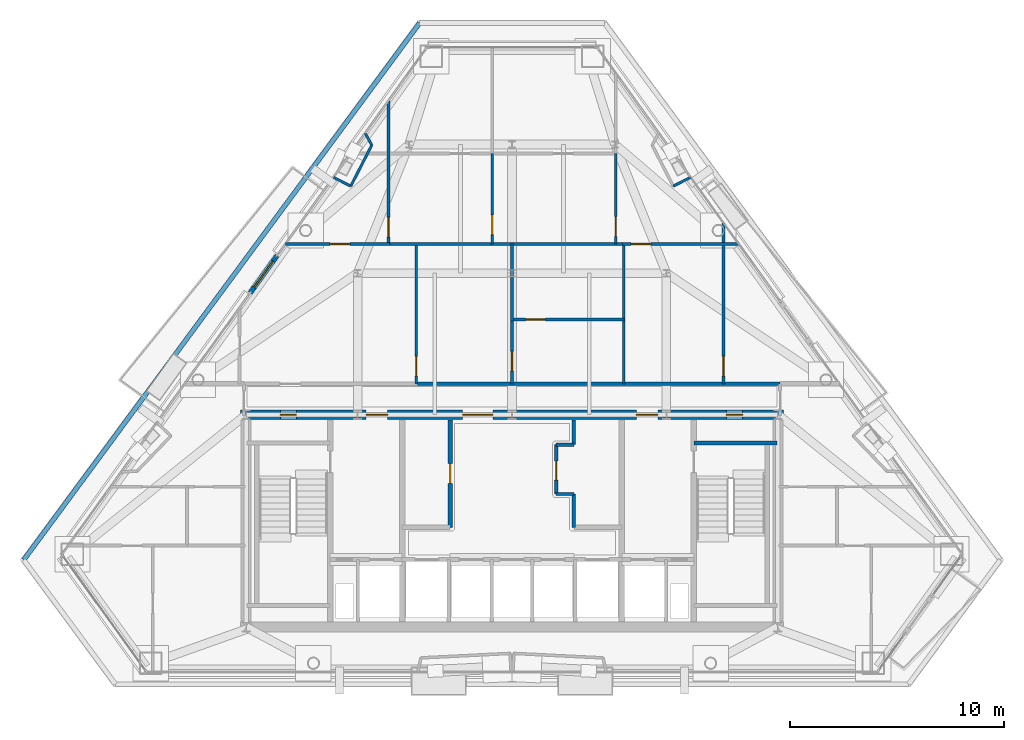
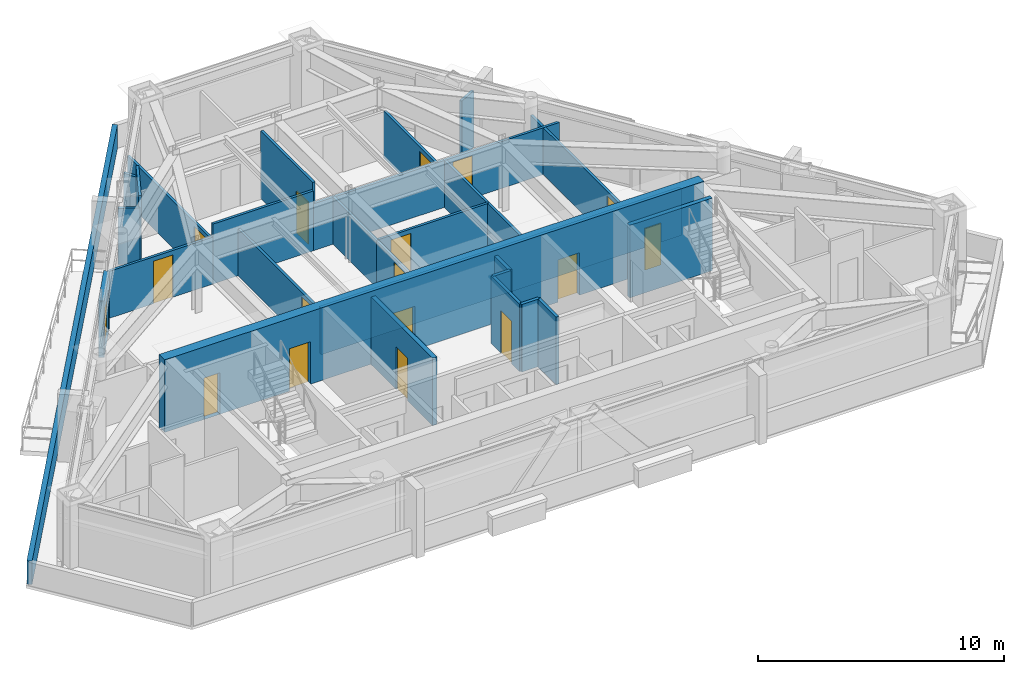
# One storey, part 8 of 11: 28 walls, 17 doors, 17 openings.
"""IFC4 building model written with IfcOpenShell, lengths in metres."""

from ifc_helpers import new_model, si_unit, direction, frame, frame_2d, origin, place, context, subcontext, project, spatial, rectangle, extrude, material, layer, layer_set, type_object, element, fill, save


model = new_model("IFC4")

# Units and contexts
model_context = context("Model", 3, precision=1e-05, world=origin(), true_north=direction((0.0, 1.0)))
body_context = subcontext(model_context, "Body", "Model", "MODEL_VIEW")
ifc_project = project(units=[si_unit("LENGTHUNIT", "METRE"), si_unit("AREAUNIT", "SQUARE_METRE"), si_unit("VOLUMEUNIT", "CUBIC_METRE"), si_unit("PLANEANGLEUNIT", "RADIAN"), si_unit("MASSUNIT", "GRAM", prefix="KILO")], contexts=[model_context])

# Site, building, storey
site_placement = place(None, origin())
site = spatial("IfcSite", under=ifc_project, at=site_placement, CompositionType="ELEMENT")
building_placement = place(site_placement, origin())
building = spatial("IfcBuilding", under=site, at=building_placement, Name="Talgorran Terracotta Tower", CompositionType="ELEMENT")
storey_placement = place(building_placement, frame((0.0, 0.0, 185.699951171875)))
storey = spatial("IfcBuildingStorey", under=building, at=storey_placement, Name="L48", CompositionType="ELEMENT", Elevation=185.699951171875)

# Wall, opening, door
ifc_material_1 = material(Name="Concrete C40/50", Category="concrete")
ifc_layer_1 = layer(ifc_material_1, 0.239990234375, Name="WT_BALCONY_SPAND")
ifc_layer_set_1 = layer_set([ifc_layer_1], Name="Concrete C40/50")
wall_type_1 = type_object("IfcWallType", Name="WT_BALCONY_SPAND", PredefinedType="STANDARD", material=ifc_layer_set_1)
wall_1_placement = place(storey_placement, frame((-10.956298828125, 3.220703125, -0.014892578125), z_axis=(0.0, 0.0, 1.0), x_axis=(-0.584352812003, -0.811499717255, 0.0)))
wall_1 = element("IfcWall", 1, at=wall_1_placement, inside=storey, type_object=wall_type_1, Name="WL-L48-BALP-BAL-NW", PredefinedType="STANDARD", context=body_context, shape_type="SweptSolid", body=[
    extrude(rectangle(XDim=2.139892578125, YDim=0.239990234375, at=frame_2d((1.06982421875, 0.0))), origin(), (0.0, 0.0, 1.0), 2.806884765625),
])
opening_1_placement = place(wall_1_placement, frame((0.320068359375, 0.0, 0.014892578125)))
opening_1 = element("IfcOpeningElement", 2, at=opening_1_placement, cuts=wall_1, Name="Opening D-BAL-L48-2", PredefinedType="OPENING", context=body_context, shape_type="SweptSolid", body=[
    extrude(rectangle(XDim=1.506, YDim=2.203951171875, at=frame_2d((0.75, 1.10205078125))), frame((0.0, 0.1298828125, 0.0), z_axis=(0.0, -1.0, 0.0), x_axis=(1.0, 0.0, 0.0)), (0.0, 0.0, 1.0), 0.260009765625),
])
ifc_material_2 = material(Name="Thermally Broken Aluminium", Category="aluminium")
door_type_1 = type_object("IfcDoorType", Name="DT_BALC_1500", OperationType="SLIDING_TO_RIGHT", PredefinedType="DOOR", material=ifc_material_2)
door_1_placement = place(opening_1_placement, origin())
door_1 = element("IfcDoor", 3, at=door_1_placement, inside=storey, type_object=door_type_1, Name="DR-L48-BAL-BAL-NW", OperationType="SLIDING_TO_RIGHT", OverallHeight=2.199951171875, OverallWidth=1.5, PredefinedType="DOOR", context=body_context, shape_type="SweptSolid", body=[
    extrude(rectangle(XDim=1.5, YDim=2.199951171875, at=frame_2d((0.75, 1.10009765625))), frame((0.0, 0.02490234375, 0.0), z_axis=(0.0, -1.0, 0.0), x_axis=(1.0, 0.0, 0.0)), (0.0, 0.0, 1.0), 0.050048828125),
])
fill(opening_1, door_1)

# Wall
ifc_material_3 = material(Name="Concrete C50/60", Category="concrete")
ifc_layer_2 = layer(ifc_material_3, 0.199951171875, Name="WT_CORE_200")
ifc_layer_set_2 = layer_set([ifc_layer_2], Name="Concrete C50/60")
wall_type_2 = type_object("IfcWallType", Name="WT_CORE_200", PredefinedType="SOLIDWALL", material=ifc_layer_set_2)
wall_2_placement = place(storey_placement, frame((8.47998046875, -5.52001953125, 0.0), z_axis=(0.0, 0.0, 1.0), x_axis=(1.0, 0.0, 0.0)))
element("IfcWall", 4, at=wall_2_placement, inside=storey, type_object=wall_type_2, Name="WL-L48-CW-ST2-N", PredefinedType="SOLIDWALL", context=body_context, shape_type="SweptSolid", body=[
    extrude(rectangle(XDim=3.8701171875, YDim=0.199951171875, at=frame_2d((1.93505859375, 0.0))), origin(), (0.0, 0.0, 1.0), 3.60009765625),
])

# Wall, opening, door
wall_3_placement = place(storey_placement, frame((-2.8798828125, -9.449951171875, 0.0), z_axis=(0.0, 0.0, 1.0), x_axis=(0.0, 1.0, 0.0)))
wall_3 = element("IfcWall", 5, at=wall_3_placement, inside=storey, type_object=wall_type_2, Name="WL-L48-CW-V-W3", PredefinedType="SOLIDWALL", context=body_context, shape_type="SweptSolid", body=[
    extrude(rectangle(XDim=5.0, YDim=0.199951171875, at=frame_2d((2.5, 0.0))), origin(), (0.0, 0.0, 1.0), 3.35009765625),
])
opening_2_placement = place(wall_3_placement, frame((2.050048828125, 0.0, 0.0)))
opening_2 = element("IfcOpeningElement", 6, at=opening_2_placement, cuts=wall_3, Name="Opening DR-FRPLL-A", PredefinedType="OPENING", context=body_context, shape_type="SweptSolid", body=[
    extrude(rectangle(XDim=0.925921875, YDim=2.10409765625, at=frame_2d((0.4599609375, 1.052001953125))), frame((0.0, 0.10986328125, 0.0), z_axis=(0.0, -1.0, 0.0), x_axis=(1.0, 0.0, 0.0)), (0.0, 0.0, 1.0), 0.219970703125),
])
ifc_material_4 = material(Name="Solid-Core Painted Timber", Category="wood")
door_type_2 = type_object("IfcDoorType", Name="DT_INT_920", OperationType="NOTDEFINED", PredefinedType="DOOR", material=ifc_material_4)
door_2_placement = place(opening_2_placement, origin())
door_2 = element("IfcDoor", 7, at=door_2_placement, inside=storey, type_object=door_type_2, Name="DR-FRPLL-A", OperationType="SINGLE_SWING_LEFT", OverallHeight=2.10009765625, OverallWidth=0.919921875, PredefinedType="DOOR", context=body_context, shape_type="SweptSolid", body=[
    extrude(rectangle(XDim=0.919921875, YDim=2.10009765625, at=frame_2d((0.4599609375, 1.050048828125))), frame((0.0, 0.02490234375, 0.0), z_axis=(0.0, -1.0, 0.0), x_axis=(1.0, 0.0, 0.0)), (0.0, 0.0, 1.0), 0.050048828125),
])
fill(opening_2, door_2)

# Wall, openings, doors
ifc_material_5 = material(Name="Concrete C65/80", Category="concrete")
ifc_layer_3 = layer(ifc_material_5, 0.449951171875, Name="WT_CORE_EXT")
ifc_layer_set_3 = layer_set([ifc_layer_3], Name="Concrete C65/80")
wall_type_3 = type_object("IfcWallType", Name="WT_CORE_EXT", PredefinedType="SHEAR", material=ifc_layer_set_3)
wall_4_placement = place(storey_placement, frame((-12.64990234375, -4.199951171875, 0.0), z_axis=(0.0, 0.0, 1.0), x_axis=(1.0, 0.0, 0.0)))
wall_4 = element("IfcWall", 8, at=wall_4_placement, inside=storey, type_object=wall_type_3, Name="WL-L48-CW-OUT-N", PredefinedType="SHEAR", context=body_context, shape_type="SweptSolid", body=[
    extrude(rectangle(XDim=25.2998046875, YDim=0.449951171875, at=frame_2d((12.64990234375, 0.0))), origin(), (0.0, 0.0, 1.0), 3.60009765625),
])
opening_3_placement = place(wall_4_placement, frame((1.85009765625, 0.0, 0.0)))
opening_3 = element("IfcOpeningElement", 9, at=opening_3_placement, cuts=wall_4, Name="Opening DR-CSN1", PredefinedType="OPENING", context=body_context, shape_type="SweptSolid", body=[
    extrude(rectangle(XDim=0.756, YDim=2.054048828125, at=frame_2d((0.375, 1.027099609375))), frame((0.0, 0.23486328125, 0.0), z_axis=(0.0, -1.0, 0.0), x_axis=(1.0, 0.0, 0.0)), (0.0, 0.0, 1.0), 0.469970703125),
])
opening_4_placement = place(wall_4_placement, frame((22.64990234375, 0.0, 0.0)))
opening_4 = element("IfcOpeningElement", 10, at=opening_4_placement, cuts=wall_4, Name="Opening DR-CSN2", PredefinedType="OPENING", context=body_context, shape_type="SweptSolid", body=[
    extrude(rectangle(XDim=0.756, YDim=2.054048828125, at=frame_2d((0.375, 1.027099609375))), frame((0.0, 0.23486328125, 0.0), z_axis=(0.0, -1.0, 0.0), x_axis=(1.0, 0.0, 0.0)), (0.0, 0.0, 1.0), 0.469970703125),
])
opening_5_placement = place(wall_4_placement, frame((5.85009765625, 0.0, 0.0)))
opening_5 = element("IfcOpeningElement", 11, at=opening_5_placement, cuts=wall_4, Name="Opening DR-FFLW-N", PredefinedType="OPENING", context=body_context, shape_type="SweptSolid", body=[
    extrude(rectangle(XDim=1.006, YDim=2.10409765625, at=frame_2d((0.5, 1.052001953125))), frame((0.0, 0.23486328125, 0.0), z_axis=(0.0, -1.0, 0.0), x_axis=(1.0, 0.0, 0.0)), (0.0, 0.0, 1.0), 0.469970703125),
])
opening_6_placement = place(wall_4_placement, frame((10.35009765625, 0.0, 0.0)))
opening_6 = element("IfcOpeningElement", 12, at=opening_6_placement, cuts=wall_4, Name="Opening DR-PLL-N", PredefinedType="OPENING", context=body_context, shape_type="SweptSolid", body=[
    extrude(rectangle(XDim=1.40590234375, YDim=2.15390234375, at=frame_2d((0.699951171875, 1.076904296875))), frame((0.0, 0.23486328125, 0.0), z_axis=(0.0, -1.0, 0.0), x_axis=(1.0, 0.0, 0.0)), (0.0, 0.0, 1.0), 0.469970703125),
])
opening_7_placement = place(wall_4_placement, frame((18.449951171875, 0.0, 0.0)))
opening_7 = element("IfcOpeningElement", 13, at=opening_7_placement, cuts=wall_4, Name="Opening DR-FFLE-N", PredefinedType="OPENING", context=body_context, shape_type="SweptSolid", body=[
    extrude(rectangle(XDim=1.006, YDim=2.10409765625, at=frame_2d((0.5, 1.052001953125))), frame((0.0, 0.23486328125, 0.0), z_axis=(0.0, -1.0, 0.0), x_axis=(1.0, 0.0, 0.0)), (0.0, 0.0, 1.0), 0.469970703125),
])
ifc_material_6 = material(Name="Acoustic Glazed Timber", Category="wood")
door_type_3 = type_object("IfcDoorType", Name="DT_DOUBLE_1400", OperationType="DOUBLE_DOOR_SINGLE_SWING", PredefinedType="DOOR", material=ifc_material_6)
door_3_placement = place(opening_6_placement, origin())
door_3 = element("IfcDoor", 14, at=door_3_placement, inside=storey, type_object=door_type_3, Name="DR-PLL-N", OperationType="DOUBLE_DOOR_SINGLE_SWING", OverallHeight=2.14990234375, OverallWidth=1.39990234375, PredefinedType="DOOR", context=body_context, shape_type="SweptSolid", body=[
    extrude(rectangle(XDim=1.39990234375, YDim=2.14990234375, at=frame_2d((0.699951171875, 1.074951171875))), frame((0.0, 0.02490234375, 0.0), z_axis=(0.0, -1.0, 0.0), x_axis=(1.0, 0.0, 0.0)), (0.0, 0.0, 1.0), 0.050048828125),
])
fill(opening_6, door_3)
ifc_material_7 = material(Name="Fire-Rated Pressed Steel", Category="steel")
door_type_4 = type_object("IfcDoorType", Name="DT_FIRE_1000", OperationType="NOTDEFINED", PredefinedType="DOOR", material=ifc_material_7)
door_4_placement = place(opening_5_placement, origin())
door_4 = element("IfcDoor", 15, at=door_4_placement, inside=storey, type_object=door_type_4, Name="DR-FFLW-N", OperationType="SINGLE_SWING_LEFT", OverallHeight=2.10009765625, OverallWidth=1.0, PredefinedType="DOOR", context=body_context, shape_type="SweptSolid", body=[
    extrude(rectangle(XDim=1.0, YDim=2.10009765625, at=frame_2d((0.5, 1.050048828125))), frame((0.0, 0.02490234375, 0.0), z_axis=(0.0, -1.0, 0.0), x_axis=(1.0, 0.0, 0.0)), (0.0, 0.0, 1.0), 0.050048828125),
])
fill(opening_5, door_4)
door_5_placement = place(opening_7_placement, origin())
door_5 = element("IfcDoor", 16, at=door_5_placement, inside=storey, type_object=door_type_4, Name="DR-FFLE-N", OperationType="SINGLE_SWING_RIGHT", OverallHeight=2.10009765625, OverallWidth=1.0, PredefinedType="DOOR", context=body_context, shape_type="SweptSolid", body=[
    extrude(rectangle(XDim=1.0, YDim=2.10009765625, at=frame_2d((0.5, 1.050048828125))), frame((0.0, 0.02490234375, 0.0), z_axis=(0.0, -1.0, 0.0), x_axis=(1.0, 0.0, 0.0)), (0.0, 0.0, 1.0), 0.050048828125),
])
fill(opening_7, door_5)
door_type_5 = type_object("IfcDoorType", Name="DT_RISER_750", OperationType="NOTDEFINED", PredefinedType="DOOR", material=ifc_material_7)
door_6_placement = place(opening_3_placement, origin())
door_6 = element("IfcDoor", 17, at=door_6_placement, inside=storey, type_object=door_type_5, Name="DR-CSN1", OperationType="SINGLE_SWING_LEFT", OverallHeight=2.050048828125, OverallWidth=0.75, PredefinedType="DOOR", context=body_context, shape_type="SweptSolid", body=[
    extrude(rectangle(XDim=0.75, YDim=2.050048828125, at=frame_2d((0.375, 1.02490234375))), frame((0.0, 0.02490234375, 0.0), z_axis=(0.0, -1.0, 0.0), x_axis=(1.0, 0.0, 0.0)), (0.0, 0.0, 1.0), 0.050048828125),
])
fill(opening_3, door_6)
door_7_placement = place(opening_4_placement, origin())
door_7 = element("IfcDoor", 18, at=door_7_placement, inside=storey, type_object=door_type_5, Name="DR-CSN2", OperationType="SINGLE_SWING_RIGHT", OverallHeight=2.050048828125, OverallWidth=0.75, PredefinedType="DOOR", context=body_context, shape_type="SweptSolid", body=[
    extrude(rectangle(XDim=0.75, YDim=2.050048828125, at=frame_2d((0.375, 1.02490234375))), frame((0.0, 0.02490234375, 0.0), z_axis=(0.0, -1.0, 0.0), x_axis=(1.0, 0.0, 0.0)), (0.0, 0.0, 1.0), 0.050048828125),
])
fill(opening_4, door_7)

# Walls
ifc_material_8 = material(Name="Fire-Rated Steel Stud Plasterboard", Category="steel")
ifc_layer_4 = layer(ifc_material_8, 0.14990234375, Name="WT_FIRE_150")
ifc_layer_set_4 = layer_set([ifc_layer_4], Name="Fire-Rated Steel Stud Plasterboard")
wall_type_4 = type_object("IfcWallType", Name="WT_FIRE_150", PredefinedType="PARTITIONING", material=ifc_layer_set_4)
wall_5_placement = place(storey_placement, frame((2.8798828125, -9.449951171875, 0.0), z_axis=(0.0, 0.0, 1.0), x_axis=(0.0, 1.0, 0.0)))
element("IfcWall", 19, at=wall_5_placement, inside=storey, type_object=wall_type_4, Name="WL-L48-CW-V-E3A", PredefinedType="PARTITIONING", context=body_context, shape_type="SweptSolid", body=[
    extrude(rectangle(XDim=1.550048828125, YDim=0.14990234375, at=frame_2d((0.77490234375, 0.0))), origin(), (0.0, 0.0, 1.0), 3.35009765625),
])
wall_6_placement = place(storey_placement, frame((2.06005859375, -7.89990234375, 0.0), z_axis=(0.0, 0.0, 1.0), x_axis=(1.0, 0.0, 0.0)))
element("IfcWall", 20, at=wall_6_placement, inside=storey, type_object=wall_type_4, Name="WL-L48-CW-H-E3B", PredefinedType="PARTITIONING", context=body_context, shape_type="SweptSolid", body=[
    extrude(rectangle(XDim=0.81982421875, YDim=0.14990234375, at=frame_2d((0.409912109375, 0.0))), origin(), (0.0, 0.0, 1.0), 3.35009765625),
])

# Wall, opening, door
wall_7_placement = place(storey_placement, frame((2.06005859375, -7.89990234375, 0.0), z_axis=(0.0, 0.0, 1.0), x_axis=(0.0, 1.0, 0.0)))
wall_7 = element("IfcWall", 21, at=wall_7_placement, inside=storey, type_object=wall_type_4, Name="WL-L48-CW-V-E3C", PredefinedType="PARTITIONING", context=body_context, shape_type="SweptSolid", body=[
    extrude(rectangle(XDim=2.2998046875, YDim=0.14990234375, at=frame_2d((1.14990234375, 0.0))), origin(), (0.0, 0.0, 1.0), 3.35009765625),
])
opening_8_placement = place(wall_7_placement, frame((0.64990234375, 0.0, 0.0)))
opening_8 = element("IfcOpeningElement", 22, at=opening_8_placement, cuts=wall_7, Name="Opening DR-FRPLM-B", PredefinedType="OPENING", context=body_context, shape_type="SweptSolid", body=[
    extrude(rectangle(XDim=0.8858828125, YDim=2.10409765625, at=frame_2d((0.43994140625, 1.052001953125))), frame((0.0, 0.0849609375, 0.0), z_axis=(0.0, -1.0, 0.0), x_axis=(1.0, 0.0, 0.0)), (0.0, 0.0, 1.0), 0.169921875),
])
door_type_6 = type_object("IfcDoorType", Name="DT_INT_880", OperationType="NOTDEFINED", PredefinedType="DOOR", material=ifc_material_4)
door_8_placement = place(opening_8_placement, origin())
door_8 = element("IfcDoor", 23, at=door_8_placement, inside=storey, type_object=door_type_6, Name="DR-FRPLM-B", OperationType="SINGLE_SWING_RIGHT", OverallHeight=2.10009765625, OverallWidth=0.8798828125, PredefinedType="DOOR", context=body_context, shape_type="SweptSolid", body=[
    extrude(rectangle(XDim=0.8798828125, YDim=2.10009765625, at=frame_2d((0.43994140625, 1.050048828125))), frame((0.0, 0.02490234375, 0.0), z_axis=(0.0, -1.0, 0.0), x_axis=(1.0, 0.0, 0.0)), (0.0, 0.0, 1.0), 0.050048828125),
])
fill(opening_8, door_8)

# Walls
wall_8_placement = place(storey_placement, frame((2.06005859375, -5.60009765625, 0.0), z_axis=(0.0, 0.0, 1.0), x_axis=(1.0, 0.0, 0.0)))
element("IfcWall", 24, at=wall_8_placement, inside=storey, type_object=wall_type_4, Name="WL-L48-CW-H-E3D", PredefinedType="PARTITIONING", context=body_context, shape_type="SweptSolid", body=[
    extrude(rectangle(XDim=0.81982421875, YDim=0.14990234375, at=frame_2d((0.409912109375, 0.0))), origin(), (0.0, 0.0, 1.0), 3.35009765625),
])
wall_9_placement = place(storey_placement, frame((2.8798828125, -5.60009765625, 0.0), z_axis=(0.0, 0.0, 1.0), x_axis=(0.0, 1.0, 0.0)))
element("IfcWall", 25, at=wall_9_placement, inside=storey, type_object=wall_type_4, Name="WL-L48-CW-V-E3E", PredefinedType="PARTITIONING", context=body_context, shape_type="SweptSolid", body=[
    extrude(rectangle(XDim=1.150146484375, YDim=0.14990234375, at=frame_2d((0.5751953125, 0.0))), origin(), (0.0, 0.0, 1.0), 3.35009765625),
])
wall_10_placement = place(storey_placement, frame((-4.39794921875, -2.760009765625, 0.0), z_axis=(0.0, 0.0, 1.0), x_axis=(1.0, 0.0, 0.0)))
element("IfcWall", 26, at=wall_10_placement, inside=storey, type_object=wall_type_4, Name="WL-L48-W-L48-R05", PredefinedType="PARTITIONING", context=body_context, shape_type="SweptSolid", body=[
    extrude(rectangle(XDim=16.89794921875, YDim=0.14990234375, at=frame_2d((8.448974609375, 0.0))), origin(), (0.0, 0.0, 1.0), 2.324951171875),
])
ifc_layer_5 = layer(ifc_material_1, 0.219970703125, Name="WT_PARAPET_RC")
ifc_layer_set_5 = layer_set([ifc_layer_5], Name="Concrete C40/50")
wall_type_5 = type_object("IfcWallType", Name="WT_PARAPET_RC", PredefinedType="PARAPET", material=ifc_layer_set_5)
wall_11_placement = place(storey_placement, frame((-4.305908203125, 14.063720703125, -0.02001953125), z_axis=(0.0, 0.0, 1.0), x_axis=(-0.593493783315, -0.804838573359, 0.0)))
element("IfcWall", 27, at=wall_11_placement, inside=storey, type_object=wall_type_5, Name="WL-L48-PARAPET-6", PredefinedType="PARAPET", context=body_context, shape_type="SweptSolid", body=[
    extrude(rectangle(XDim=31.104248046875, YDim=0.219970703125, at=frame_2d((15.55224609375, 0.0))), origin(), (0.0, 0.0, 1.0), 1.170166015625),
])

# Wall, opening, door
ifc_material_9 = material(Name="Insulated Steel Stud Plasterboard", Category="steel")
ifc_layer_6 = layer(ifc_material_9, 0.1201171875, Name="WT_PART_120")
ifc_layer_set_6 = layer_set([ifc_layer_6], Name="Insulated Steel Stud Plasterboard")
wall_type_6 = type_object("IfcWallType", Name="WT_PART_120", PredefinedType="PARTITIONING", material=ifc_layer_set_6)
wall_12_placement = place(storey_placement, frame((9.860107421875, -2.760009765625, 0.0), z_axis=(0.0, 0.0, 1.0), x_axis=(0.0, 1.0, 0.0)))
wall_12 = element("IfcWall", 28, at=wall_12_placement, inside=storey, type_object=wall_type_6, Name="WL-L48-W-L48-R46", PredefinedType="PARTITIONING", context=body_context, shape_type="SweptSolid", body=[
    extrude(rectangle(XDim=7.502685546875, YDim=0.1201171875, at=frame_2d((3.75146484375, 0.0))), origin(), (0.0, 0.0, 1.0), 2.324951171875),
])
opening_9_placement = place(wall_12_placement, frame((0.360107421875, 0.0, 0.0)))
opening_9 = element("IfcOpeningElement", 29, at=opening_9_placement, cuts=wall_12, Name="Opening DR-L48-R23", PredefinedType="OPENING", context=body_context, shape_type="SweptSolid", body=[
    extrude(rectangle(XDim=0.925921875, YDim=2.10409765625, at=frame_2d((0.4599609375, 1.052001953125))), frame((0.0, 0.070068359375, 0.0), z_axis=(0.0, -1.0, 0.0), x_axis=(1.0, 0.0, 0.0)), (0.0, 0.0, 1.0), 0.14013671875),
])
door_9_placement = place(opening_9_placement, origin())
door_9 = element("IfcDoor", 30, at=door_9_placement, inside=storey, type_object=door_type_2, Name="DR-L48-R23", OperationType="SINGLE_SWING_LEFT", OverallHeight=2.10009765625, OverallWidth=0.919921875, PredefinedType="DOOR", context=body_context, shape_type="SweptSolid", body=[
    extrude(rectangle(XDim=0.919921875, YDim=2.10009765625, at=frame_2d((0.4599609375, 1.050048828125))), frame((0.0, 0.02490234375, 0.0), z_axis=(0.0, -1.0, 0.0), x_axis=(1.0, 0.0, 0.0)), (0.0, 0.0, 1.0), 0.050048828125),
])
fill(opening_9, door_9)

wall_13_placement = place(storey_placement, frame((-5.760009765625, 3.760009765625, 0.0), z_axis=(0.0, 0.0, 1.0), x_axis=(0.0, 1.0, 0.0)))
wall_13 = element("IfcWall", 31, at=wall_13_placement, inside=storey, type_object=wall_type_6, Name="WL-L48-W-L48-R38", PredefinedType="PARTITIONING", context=body_context, shape_type="SweptSolid", body=[
    extrude(rectangle(XDim=6.675537109375, YDim=0.1201171875, at=frame_2d((3.337890625, 0.0))), origin(), (0.0, 0.0, 1.0), 2.324951171875),
])
opening_10_placement = place(wall_13_placement, frame((0.320068359375, 0.0, 0.0)))
opening_10 = element("IfcOpeningElement", 32, at=opening_10_placement, cuts=wall_13, Name="Opening DR-L48-R17", PredefinedType="OPENING", context=body_context, shape_type="SweptSolid", body=[
    extrude(rectangle(XDim=0.925921875, YDim=2.10409765625, at=frame_2d((0.4599609375, 1.052001953125))), frame((0.0, 0.070068359375, 0.0), z_axis=(0.0, -1.0, 0.0), x_axis=(1.0, 0.0, 0.0)), (0.0, 0.0, 1.0), 0.14013671875),
])
door_10_placement = place(opening_10_placement, origin())
door_10 = element("IfcDoor", 33, at=door_10_placement, inside=storey, type_object=door_type_2, Name="DR-L48-R17", OperationType="SINGLE_SWING_LEFT", OverallHeight=2.10009765625, OverallWidth=0.919921875, PredefinedType="DOOR", context=body_context, shape_type="SweptSolid", body=[
    extrude(rectangle(XDim=0.919921875, YDim=2.10009765625, at=frame_2d((0.4599609375, 1.050048828125))), frame((0.0, 0.02490234375, 0.0), z_axis=(0.0, -1.0, 0.0), x_axis=(1.0, 0.0, 0.0)), (0.0, 0.0, 1.0), 0.050048828125),
])
fill(opening_10, door_10)

wall_14_placement = place(storey_placement, frame((-4.4599609375, -2.760009765625, 0.0), z_axis=(0.0, 0.0, 1.0), x_axis=(0.0, 1.0, 0.0)))
wall_14 = element("IfcWall", 34, at=wall_14_placement, inside=storey, type_object=wall_type_6, Name="WL-L48-W-L48-R26", PredefinedType="PARTITIONING", context=body_context, shape_type="SweptSolid", body=[
    extrude(rectangle(XDim=6.52001953125, YDim=0.1201171875, at=frame_2d((3.260009765625, 0.0))), origin(), (0.0, 0.0, 1.0), 2.324951171875),
])
opening_11_placement = place(wall_14_placement, frame((0.360107421875, 0.0, 0.0)))
opening_11 = element("IfcOpeningElement", 35, at=opening_11_placement, cuts=wall_14, Name="Opening DR-L48-R13", PredefinedType="OPENING", context=body_context, shape_type="SweptSolid", body=[
    extrude(rectangle(XDim=0.925921875, YDim=2.10409765625, at=frame_2d((0.4599609375, 1.052001953125))), frame((0.0, 0.070068359375, 0.0), z_axis=(0.0, -1.0, 0.0), x_axis=(1.0, 0.0, 0.0)), (0.0, 0.0, 1.0), 0.14013671875),
])
door_11_placement = place(opening_11_placement, origin())
door_11 = element("IfcDoor", 36, at=door_11_placement, inside=storey, type_object=door_type_2, Name="DR-L48-R13", OperationType="SINGLE_SWING_LEFT", OverallHeight=2.10009765625, OverallWidth=0.919921875, PredefinedType="DOOR", context=body_context, shape_type="SweptSolid", body=[
    extrude(rectangle(XDim=0.919921875, YDim=2.10009765625, at=frame_2d((0.4599609375, 1.050048828125))), frame((0.0, 0.02490234375, 0.0), z_axis=(0.0, -1.0, 0.0), x_axis=(1.0, 0.0, 0.0)), (0.0, 0.0, 1.0), 0.050048828125),
])
fill(opening_11, door_11)

wall_15_placement = place(storey_placement, frame((5.159912109375, 3.760009765625, 0.0), z_axis=(0.0, 0.0, 1.0), x_axis=(1.0, 0.0, 0.0)))
wall_15 = element("IfcWall", 37, at=wall_15_placement, inside=storey, type_object=wall_type_6, Name="WL-L48-W-L48-R45", PredefinedType="PARTITIONING", context=body_context, shape_type="SweptSolid", body=[
    extrude(rectangle(XDim=5.40771484375, YDim=0.1201171875, at=frame_2d((2.703857421875, 0.0))), origin(), (0.0, 0.0, 1.0), 2.324951171875),
])
opening_12_placement = place(wall_15_placement, frame((0.39990234375, 0.0, 0.0)))
opening_12 = element("IfcOpeningElement", 38, at=opening_12_placement, cuts=wall_15, Name="Opening DR-L48-R22", PredefinedType="OPENING", context=body_context, shape_type="SweptSolid", body=[
    extrude(rectangle(XDim=0.925921875, YDim=2.10409765625, at=frame_2d((0.4599609375, 1.052001953125))), frame((0.0, 0.070068359375, 0.0), z_axis=(0.0, -1.0, 0.0), x_axis=(1.0, 0.0, 0.0)), (0.0, 0.0, 1.0), 0.14013671875),
])
door_12_placement = place(opening_12_placement, origin())
door_12 = element("IfcDoor", 39, at=door_12_placement, inside=storey, type_object=door_type_2, Name="DR-L48-R22", OperationType="SINGLE_SWING_RIGHT", OverallHeight=2.10009765625, OverallWidth=0.919921875, PredefinedType="DOOR", context=body_context, shape_type="SweptSolid", body=[
    extrude(rectangle(XDim=0.919921875, YDim=2.10009765625, at=frame_2d((0.4599609375, 1.050048828125))), frame((0.0, 0.02490234375, 0.0), z_axis=(0.0, -1.0, 0.0), x_axis=(1.0, 0.0, 0.0)), (0.0, 0.0, 1.0), 0.050048828125),
])
fill(opening_12, door_12)

wall_16_placement = place(storey_placement, frame((0.0, 0.239990234375, 0.0), z_axis=(0.0, 0.0, 1.0), x_axis=(1.0, 0.0, 0.0)))
wall_16 = element("IfcWall", 40, at=wall_16_placement, inside=storey, type_object=wall_type_6, Name="WL-L48-W-L48-R33", PredefinedType="PARTITIONING", context=body_context, shape_type="SweptSolid", body=[
    extrude(rectangle(XDim=5.219970703125, YDim=0.1201171875, at=frame_2d((2.60986328125, 0.0))), origin(), (0.0, 0.0, 1.0), 2.324951171875),
])
opening_13_placement = place(wall_16_placement, frame((0.637451171875, 0.0, 0.0)))
opening_13 = element("IfcOpeningElement", 41, at=opening_13_placement, cuts=wall_16, Name="Opening DR-L48-R15", PredefinedType="OPENING", context=body_context, shape_type="SweptSolid", body=[
    extrude(rectangle(XDim=0.925921875, YDim=2.10409765625, at=frame_2d((0.4599609375, 1.052001953125))), frame((0.0, 0.070068359375, 0.0), z_axis=(0.0, -1.0, 0.0), x_axis=(1.0, 0.0, 0.0)), (0.0, 0.0, 1.0), 0.14013671875),
])
door_13_placement = place(opening_13_placement, origin())
door_13 = element("IfcDoor", 42, at=door_13_placement, inside=storey, type_object=door_type_2, Name="DR-L48-R15", OperationType="SINGLE_SWING_LEFT", OverallHeight=2.10009765625, OverallWidth=0.919921875, PredefinedType="DOOR", context=body_context, shape_type="SweptSolid", body=[
    extrude(rectangle(XDim=0.919921875, YDim=2.10009765625, at=frame_2d((0.4599609375, 1.050048828125))), frame((0.0, 0.02490234375, 0.0), z_axis=(0.0, -1.0, 0.0), x_axis=(1.0, 0.0, 0.0)), (0.0, 0.0, 1.0), 0.050048828125),
])
fill(opening_13, door_13)

# Wall
wall_17_placement = place(storey_placement, frame((-0.97998046875, 3.760009765625, 0.0), z_axis=(0.0, 0.0, 1.0), x_axis=(1.0, 0.0, 0.0)))
element("IfcWall", 43, at=wall_17_placement, inside=storey, type_object=wall_type_6, Name="WL-L48-W-L48-R35", PredefinedType="PARTITIONING", context=body_context, shape_type="SweptSolid", body=[
    extrude(rectangle(XDim=6.199951171875, YDim=0.1201171875, at=frame_2d((3.10009765625, 0.0))), origin(), (0.0, 0.0, 1.0), 2.324951171875),
])

# Wall, opening, door
wall_18_placement = place(storey_placement, frame((-10.567626953125, 3.760009765625, 0.0), z_axis=(0.0, 0.0, 1.0), x_axis=(1.0, 0.0, 0.0)))
wall_18 = element("IfcWall", 44, at=wall_18_placement, inside=storey, type_object=wall_type_6, Name="WL-L48-W-L48-R27", PredefinedType="PARTITIONING", context=body_context, shape_type="SweptSolid", body=[
    extrude(rectangle(XDim=4.86767578125, YDim=0.1201171875, at=frame_2d((2.433837890625, 0.0))), origin(), (0.0, 0.0, 1.0), 2.324951171875),
])
opening_14_placement = place(wall_18_placement, frame((2.082763671875, 0.0, 0.0)))
opening_14 = element("IfcOpeningElement", 45, at=opening_14_placement, cuts=wall_18, Name="Opening DR-L48-R16", PredefinedType="OPENING", context=body_context, shape_type="SweptSolid", body=[
    extrude(rectangle(XDim=0.925921875, YDim=2.10409765625, at=frame_2d((0.4599609375, 1.052001953125))), frame((0.0, 0.070068359375, 0.0), z_axis=(0.0, -1.0, 0.0), x_axis=(1.0, 0.0, 0.0)), (0.0, 0.0, 1.0), 0.14013671875),
])
door_14_placement = place(opening_14_placement, origin())
door_14 = element("IfcDoor", 46, at=door_14_placement, inside=storey, type_object=door_type_2, Name="DR-L48-R16", OperationType="SINGLE_SWING_RIGHT", OverallHeight=2.10009765625, OverallWidth=0.919921875, PredefinedType="DOOR", context=body_context, shape_type="SweptSolid", body=[
    extrude(rectangle(XDim=0.919921875, YDim=2.10009765625, at=frame_2d((0.4599609375, 1.050048828125))), frame((0.0, 0.02490234375, 0.0), z_axis=(0.0, -1.0, 0.0), x_axis=(1.0, 0.0, 0.0)), (0.0, 0.0, 1.0), 0.050048828125),
])
fill(opening_14, door_14)

wall_19_placement = place(storey_placement, frame((-0.919921875, 3.760009765625, 0.0), z_axis=(0.0, 0.0, 1.0), x_axis=(0.0, 1.0, 0.0)))
wall_19 = element("IfcWall", 47, at=wall_19_placement, inside=storey, type_object=wall_type_6, Name="WL-L48-W-L48-R40", PredefinedType="PARTITIONING", context=body_context, shape_type="SweptSolid", body=[
    extrude(rectangle(XDim=4.219970703125, YDim=0.1201171875, at=frame_2d((2.10986328125, 0.0))), origin(), (0.0, 0.0, 1.0), 3.35009765625),
])
opening_15_placement = place(wall_19_placement, frame((0.43798828125, 0.0, 0.0)))
opening_15 = element("IfcOpeningElement", 48, at=opening_15_placement, cuts=wall_19, Name="Opening DR-L48-R19", PredefinedType="OPENING", context=body_context, shape_type="SweptSolid", body=[
    extrude(rectangle(XDim=0.925921875, YDim=2.10409765625, at=frame_2d((0.4599609375, 1.052001953125))), frame((0.0, 0.070068359375, 0.0), z_axis=(0.0, -1.0, 0.0), x_axis=(1.0, 0.0, 0.0)), (0.0, 0.0, 1.0), 0.14013671875),
])
door_15_placement = place(opening_15_placement, origin())
door_15 = element("IfcDoor", 49, at=door_15_placement, inside=storey, type_object=door_type_2, Name="DR-L48-R19", OperationType="SINGLE_SWING_LEFT", OverallHeight=2.10009765625, OverallWidth=0.919921875, PredefinedType="DOOR", context=body_context, shape_type="SweptSolid", body=[
    extrude(rectangle(XDim=0.919921875, YDim=2.10009765625, at=frame_2d((0.4599609375, 1.050048828125))), frame((0.0, 0.02490234375, 0.0), z_axis=(0.0, -1.0, 0.0), x_axis=(1.0, 0.0, 0.0)), (0.0, 0.0, 1.0), 0.050048828125),
])
fill(opening_15, door_15)

wall_20_placement = place(storey_placement, frame((4.840087890625, 3.760009765625, 0.0), z_axis=(0.0, 0.0, 1.0), x_axis=(0.0, 1.0, 0.0)))
wall_20 = element("IfcWall", 50, at=wall_20_placement, inside=storey, type_object=wall_type_6, Name="WL-L48-W-L48-R43", PredefinedType="PARTITIONING", context=body_context, shape_type="SweptSolid", body=[
    extrude(rectangle(XDim=4.219970703125, YDim=0.1201171875, at=frame_2d((2.10986328125, 0.0))), origin(), (0.0, 0.0, 1.0), 2.324951171875),
])
opening_16_placement = place(wall_20_placement, frame((0.3583984375, 0.0, 0.0)))
opening_16 = element("IfcOpeningElement", 51, at=opening_16_placement, cuts=wall_20, Name="Opening DR-L48-R21", PredefinedType="OPENING", context=body_context, shape_type="SweptSolid", body=[
    extrude(rectangle(XDim=0.925921875, YDim=2.10409765625, at=frame_2d((0.4599609375, 1.052001953125))), frame((0.0, 0.070068359375, 0.0), z_axis=(0.0, -1.0, 0.0), x_axis=(1.0, 0.0, 0.0)), (0.0, 0.0, 1.0), 0.14013671875),
])
door_16_placement = place(opening_16_placement, origin())
door_16 = element("IfcDoor", 52, at=door_16_placement, inside=storey, type_object=door_type_2, Name="DR-L48-R21", OperationType="SINGLE_SWING_LEFT", OverallHeight=2.10009765625, OverallWidth=0.919921875, PredefinedType="DOOR", context=body_context, shape_type="SweptSolid", body=[
    extrude(rectangle(XDim=0.919921875, YDim=2.10009765625, at=frame_2d((0.4599609375, 1.050048828125))), frame((0.0, 0.02490234375, 0.0), z_axis=(0.0, -1.0, 0.0), x_axis=(1.0, 0.0, 0.0)), (0.0, 0.0, 1.0), 0.050048828125),
])
fill(opening_16, door_16)

# Walls
wall_21_placement = place(storey_placement, frame((-5.697998046875, 3.760009765625, 0.0), z_axis=(0.0, 0.0, 1.0), x_axis=(1.0, 0.0, 0.0)))
element("IfcWall", 53, at=wall_21_placement, inside=storey, type_object=wall_type_6, Name="WL-L48-W-L48-R31", PredefinedType="PARTITIONING", context=body_context, shape_type="SweptSolid", body=[
    extrude(rectangle(XDim=4.716064453125, YDim=0.1201171875, at=frame_2d((2.35791015625, 0.0))), origin(), (0.0, 0.0, 1.0), 2.969482421875),
])
wall_22_placement = place(storey_placement, frame((0.0, 0.179931640625, 0.0), z_axis=(0.0, 0.0, 1.0), x_axis=(0.0, 1.0, 0.0)))
element("IfcWall", 54, at=wall_22_placement, inside=storey, type_object=wall_type_6, Name="WL-L48-W-L48-R30", PredefinedType="PARTITIONING", context=body_context, shape_type="SweptSolid", body=[
    extrude(rectangle(XDim=3.580078125, YDim=0.1201171875, at=frame_2d((1.7900390625, 0.0))), origin(), (0.0, 0.0, 1.0), 2.324951171875),
])
wall_23_placement = place(storey_placement, frame((5.219970703125, -2.760009765625, 0.0), z_axis=(0.0, 0.0, 1.0), x_axis=(0.0, 1.0, 0.0)))
element("IfcWall", 55, at=wall_23_placement, inside=storey, type_object=wall_type_6, Name="WL-L48-W-L48-R37", PredefinedType="PARTITIONING", context=body_context, shape_type="SweptSolid", body=[
    extrude(rectangle(XDim=6.52001953125, YDim=0.1201171875, at=frame_2d((3.260009765625, 0.0))), origin(), (0.0, 0.0, 1.0), 2.324951171875),
])

# Wall, opening, door
wall_24_placement = place(storey_placement, frame((0.0, -2.760009765625, 0.0), z_axis=(0.0, 0.0, 1.0), x_axis=(0.0, 1.0, 0.0)))
wall_24 = element("IfcWall", 56, at=wall_24_placement, inside=storey, type_object=wall_type_6, Name="WL-L48-W-L48-R29", PredefinedType="PARTITIONING", context=body_context, shape_type="SweptSolid", body=[
    extrude(rectangle(XDim=2.93798828125, YDim=0.1201171875, at=frame_2d((1.468994140625, 0.0))), origin(), (0.0, 0.0, 1.0), 2.324951171875),
])
opening_17_placement = place(wall_24_placement, frame((0.594970703125, 0.0, 0.0)))
opening_17 = element("IfcOpeningElement", 57, at=opening_17_placement, cuts=wall_24, Name="Opening DR-L48-R14", PredefinedType="OPENING", context=body_context, shape_type="SweptSolid", body=[
    extrude(rectangle(XDim=0.925921875, YDim=2.10409765625, at=frame_2d((0.4599609375, 1.052001953125))), frame((0.0, 0.070068359375, 0.0), z_axis=(0.0, -1.0, 0.0), x_axis=(1.0, 0.0, 0.0)), (0.0, 0.0, 1.0), 0.14013671875),
])
door_17_placement = place(opening_17_placement, origin())
door_17 = element("IfcDoor", 58, at=door_17_placement, inside=storey, type_object=door_type_2, Name="DR-L48-R14", OperationType="SINGLE_SWING_RIGHT", OverallHeight=2.10009765625, OverallWidth=0.919921875, PredefinedType="DOOR", context=body_context, shape_type="SweptSolid", body=[
    extrude(rectangle(XDim=0.919921875, YDim=2.10009765625, at=frame_2d((0.4599609375, 1.050048828125))), frame((0.0, 0.02490234375, 0.0), z_axis=(0.0, -1.0, 0.0), x_axis=(1.0, 0.0, 0.0)), (0.0, 0.0, 1.0), 0.050048828125),
])
fill(opening_17, door_17)

# Walls
wall_25_placement = place(storey_placement, frame((-6.537109375, 8.36962890625, 0.0), z_axis=(0.0, 0.0, 1.0), x_axis=(-0.456180683214, -0.889887175018, 0.0)))
element("IfcWall", 59, at=wall_25_placement, inside=storey, type_object=wall_type_6, Name="WL-L48-BW-L48-14", PredefinedType="PARTITIONING", context=body_context, shape_type="SweptSolid", body=[
    extrude(rectangle(XDim=2.15087890625, YDim=0.1201171875, at=frame_2d((1.075439453125, 0.0))), origin(), (0.0, 0.0, 1.0), 3.35009765625),
])
for number, where, z_axis, x_axis, name in (
    (60, (-7.518310546875, 6.45556640625, 0.0), (0.0, 0.0, 1.0), (-0.889930495704, 0.456096166194, 0.0), "WL-L48-BW-L48-15"),
    (61, (8.318603515625, 6.86572265625, 0.0), (0.0, 0.0, 1.0), (-0.889930495704, -0.456096166194, 0.0), "WL-L48-BW-L48-16"),
):
    element("IfcWall", number, at=place(storey_placement, frame(where, z_axis=z_axis, x_axis=x_axis)), inside=storey, type_object=wall_type_6, Name=name, PredefinedType="PARTITIONING", context=body_context, shape_type="SweptSolid", body=[
        extrude(rectangle(XDim=0.899169921875, YDim=0.1201171875, at=frame_2d((0.44970703125, 0.0))), origin(), (0.0, 0.0, 1.0), 2.7919921875),
    ])
wall_26_placement = place(storey_placement, frame((-6.841064453125, 8.91748046875, 0.0), z_axis=(0.0, 0.0, 1.0), x_axis=(0.485146567495, -0.874432849365, 0.0)))
element("IfcWall", 62, at=wall_26_placement, inside=storey, type_object=wall_type_6, Name="WL-L48-BW-L48-13", PredefinedType="PARTITIONING", context=body_context, shape_type="SweptSolid", body=[
    extrude(rectangle(XDim=0.62646484375, YDim=0.1201171875, at=frame_2d((0.313232421875, 0.0))), origin(), (0.0, 0.0, 1.0), 2.7919921875),
])

save(model, "model.ifc")
